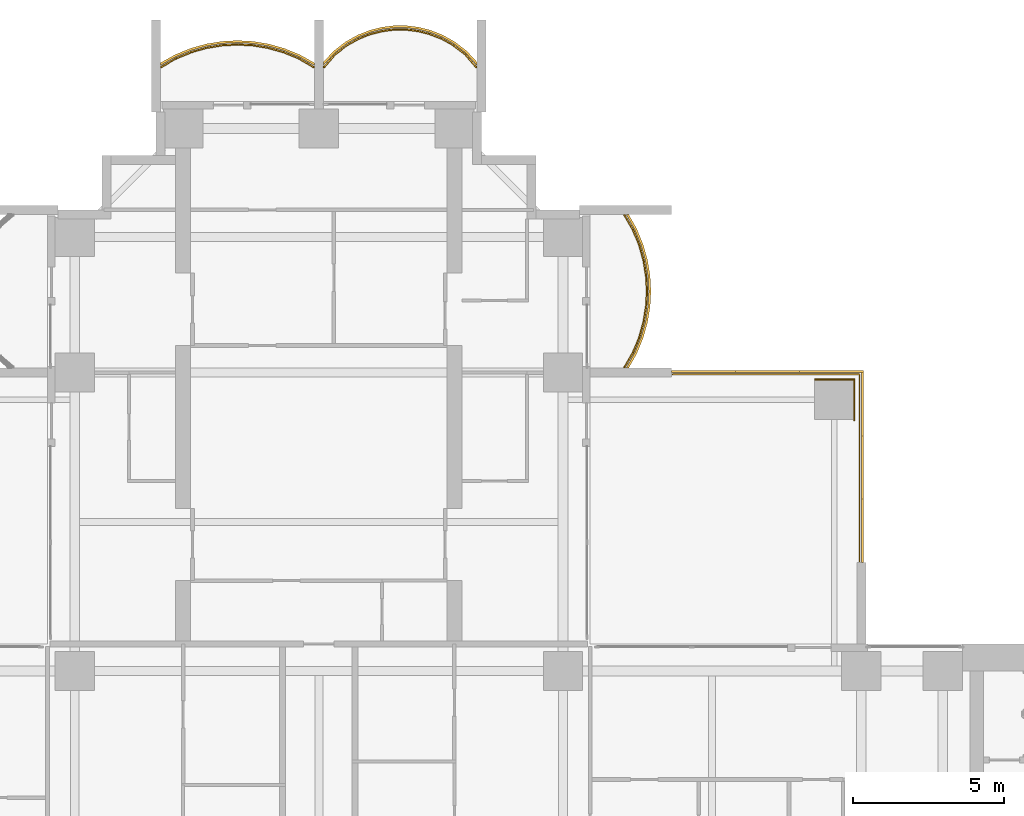
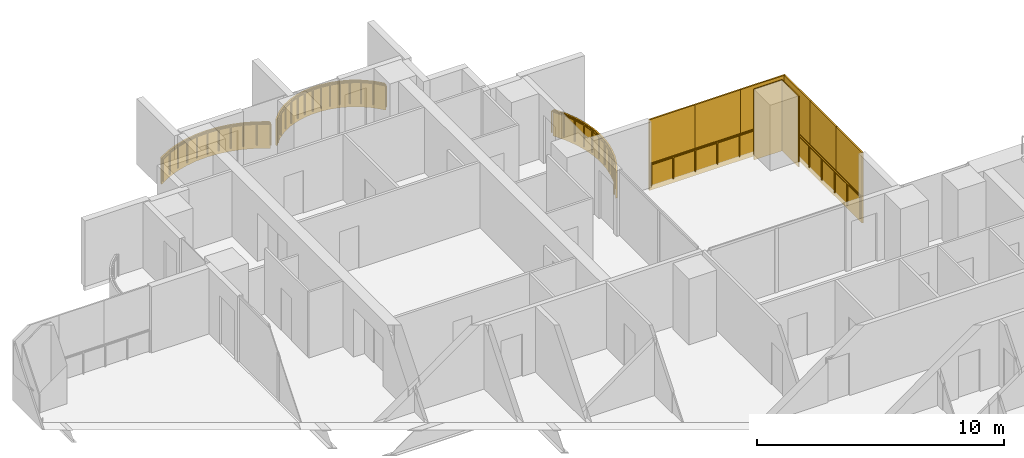
# One storey, part 21 of 21: 12 coverings, 4 railings.
"""IFC4 building model written with IfcOpenShell, lengths in metres."""

from ifc_helpers import new_model, si_unit, direction, frame, origin, origin_2d, place, context, subcontext, project, spatial, polyline, rectangle, outline, extrude, material, layer, layer_set, type_object, element, save


model = new_model("IFC4")

# Units and contexts
model_context = context("Model", 3, precision=1e-05, world=origin(), true_north=direction((0.0, 1.0)))
body_context = subcontext(model_context, "Body", "Model", "MODEL_VIEW")
ifc_project = project(units=[si_unit("LENGTHUNIT", "METRE"), si_unit("AREAUNIT", "SQUARE_METRE"), si_unit("VOLUMEUNIT", "CUBIC_METRE"), si_unit("PLANEANGLEUNIT", "RADIAN"), si_unit("MASSUNIT", "GRAM", prefix="KILO")], contexts=[model_context])

# Site, building, storey
site_placement = place(None, origin())
site = spatial("IfcSite", under=ifc_project, at=site_placement, CompositionType="ELEMENT")
building_placement = place(site_placement, origin())
building = spatial("IfcBuilding", under=site, at=building_placement, Name="Perihelion Cross Residences", CompositionType="ELEMENT")
storey_placement = place(building_placement, frame((0.0, 0.0, 57.5)))
storey = spatial("IfcBuildingStorey", under=building, at=storey_placement, Name="L11", CompositionType="ELEMENT", Elevation=57.5)

# Coverings
ifc_material_1 = material(Name="Bronze anodised aluminium", Category="aluminium")
ifc_layer_1 = layer(ifc_material_1, 0.070068359375)
ifc_layer_set_1 = layer_set([ifc_layer_1], Name="Balcony fascia 1300")
covering_type_1 = type_object("IfcCoveringType", Name="Balcony fascia 1300", PredefinedType="CLADDING", material=ifc_layer_set_1)
covering_1_placement = place(storey_placement, frame((0.0, 0.0, -0.199951171875)))
element("IfcCovering", 1, at=covering_1_placement, inside=storey, type_object=covering_type_1, Name="Fascia BF1 L11 north side east bay 2", PredefinedType="CLADDING", context=body_context, shape_type="SweptSolid", body=[
    extrude(outline(polyline([(10.54833984375, 18.629638671875), (10.7607421875, 19.147216796875), (10.906494140625, 19.664794921875), (10.991943359375, 20.182373046875), (11.02001953125, 20.699951171875), (10.991943359375, 21.217529296875), (10.906494140625, 21.735107421875), (10.7607421875, 22.2529296875), (10.54833984375, 22.7705078125), (10.2802734375, 23.25), (10.199951171875, 23.25), (10.4853515625, 22.739990234375), (10.694580078125, 22.22998046875), (10.838134765625, 21.719970703125), (10.92236328125, 21.2099609375), (10.949951171875, 20.699951171875), (10.92236328125, 20.18994140625), (10.838134765625, 19.679931640625), (10.694580078125, 19.169921875), (10.4853515625, 18.659912109375), (10.199951171875, 18.14990234375), (10.2802734375, 18.14990234375), (10.54833984375, 18.629638671875)])), origin(), (0.0, 0.0, 1.0), 1.300048828125),
])
covering_2_placement = place(storey_placement, frame((0.0, 0.0, -0.199951171875)))
element("IfcCovering", 2, at=covering_2_placement, inside=storey, type_object=covering_type_1, Name="Fascia BF1 L11 north tip north bay 1", PredefinedType="CLADDING", context=body_context, shape_type="SweptSolid", body=[
    extrude(outline(polyline([(4.90478515625, 28.674072265625), (4.50390625, 28.982666015625), (4.10302734375, 29.20654296875), (3.7021484375, 29.364013671875), (3.30126953125, 29.464599609375), (2.900390625, 29.513916015625), (2.49951171875, 29.513916015625), (2.0986328125, 29.464599609375), (1.69775390625, 29.364013671875), (1.296875, 29.20654296875), (0.89599609375, 28.982666015625), (0.4951171875, 28.674072265625), (0.14990234375, 28.302734375), (0.14990234375, 28.199951171875), (0.542236328125, 28.622314453125), (0.9345703125, 28.924072265625), (1.326904296875, 29.143310546875), (1.71923828125, 29.29736328125), (2.111572265625, 29.39599609375), (2.50390625, 29.444091796875), (2.896240234375, 29.444091796875), (3.28857421875, 29.39599609375), (3.6806640625, 29.29736328125), (4.072998046875, 29.143310546875), (4.46533203125, 28.924072265625), (4.857666015625, 28.622314453125), (5.25, 28.199951171875), (5.25, 28.302734375), (4.90478515625, 28.674072265625)])), origin(), (0.0, 0.0, 1.0), 1.300048828125),
])
covering_3_placement = place(storey_placement, frame((0.0, 0.0, -0.199951171875)))
element("IfcCovering", 3, at=covering_3_placement, inside=storey, type_object=covering_type_1, Name="Fascia BF1 L11 north tip north bay 2", PredefinedType="CLADDING", context=body_context, shape_type="SweptSolid", body=[
    extrude(outline(polyline([(-0.629638671875, 28.54833984375), (-1.147216796875, 28.7607421875), (-1.664794921875, 28.906494140625), (-2.182373046875, 28.991943359375), (-2.699951171875, 29.02001953125), (-3.217529296875, 28.991943359375), (-3.735107421875, 28.906494140625), (-4.2529296875, 28.7607421875), (-4.7705078125, 28.54833984375), (-5.25, 28.2802734375), (-5.25, 28.199951171875), (-4.739990234375, 28.4853515625), (-4.22998046875, 28.694580078125), (-3.719970703125, 28.838134765625), (-3.2099609375, 28.92236328125), (-2.699951171875, 28.949951171875), (-2.18994140625, 28.92236328125), (-1.679931640625, 28.838134765625), (-1.169921875, 28.694580078125), (-0.659912109375, 28.4853515625), (-0.14990234375, 28.199951171875), (-0.14990234375, 28.2802734375), (-0.629638671875, 28.54833984375)])), origin(), (0.0, 0.0, 1.0), 1.300048828125),
])

# Railings
ifc_material_2 = material(Name="Bronze anodised aluminium", Category="aluminium")
railing_type = type_object("IfcRailingType", Name="Balcony guard 1100", PredefinedType="GUARDRAIL", material=ifc_material_2)
railing_1_placement = place(storey_placement, frame((10.139892578125, 18.175048828125, 0.0)))
element("IfcRailing", 4, at=railing_1_placement, inside=storey, type_object=railing_type, Name="Guard GU1 L11 north side east bay 2 balcony", PredefinedType="GUARDRAIL", context=body_context, shape_type="SweptSolid", body=[
    extrude(rectangle(XDim=0.048095703125, YDim=0.048095703125, at=origin_2d()), frame((0.0, 0.0, 1.076171875), z_axis=(0.507266632806, 0.861789164031, 0.0), x_axis=(-0.861789164031, 0.507266632806, 0.0)), (0.0, 0.0, 1.0), 0.562744140625),
    extrude(rectangle(XDim=0.048095703125, YDim=0.048095703125, at=origin_2d()), frame((0.285400390625, 0.48486328125, 1.076171875), z_axis=(0.379546636342, 0.925172605972, 0.0), x_axis=(-0.925172605972, 0.379546636342, 0.0)), (0.0, 0.0, 1.0), 0.55126953125),
    extrude(rectangle(XDim=0.048095703125, YDim=0.048095703125, at=origin_2d()), frame((0.49462890625, 0.994873046875, 1.076171875), z_axis=(0.271372618732, 0.962474364231, 0.0), x_axis=(-0.962474364231, 0.271372618732, 0.0)), (0.0, 0.0, 1.0), 0.52978515625),
    extrude(rectangle(XDim=0.048095703125, YDim=0.048095703125, at=origin_2d()), frame((0.638427734375, 1.5048828125, 1.076171875), z_axis=(0.162483799314, 0.986711211531, 0.0), x_axis=(-0.986711211531, 0.162483799314, 0.0)), (0.0, 0.0, 1.0), 0.516845703125),
    extrude(rectangle(XDim=0.048095703125, YDim=0.048095703125, at=origin_2d()), frame((0.722412109375, 2.014892578125, 1.076171875), z_axis=(0.05401390175, 0.998540183677, 0.0), x_axis=(-0.998540183677, 0.05401390175, 0.0)), (0.0, 0.0, 1.0), 0.5107421875),
    extrude(rectangle(XDim=0.048095703125, YDim=0.048095703125, at=origin_2d()), frame((0.75, 2.52490234375, 1.076171875), z_axis=(-0.05401390175, 0.998540183677, 0.0), x_axis=(-0.998540183677, -0.05401390175, 0.0)), (0.0, 0.0, 1.0), 0.5107421875),
    extrude(rectangle(XDim=0.048095703125, YDim=0.048095703125, at=origin_2d()), frame((0.722412109375, 3.034912109375, 1.076171875), z_axis=(-0.162483799314, 0.986711211531, 0.0), x_axis=(-0.986711211531, -0.162483799314, 0.0)), (0.0, 0.0, 1.0), 0.516845703125),
    extrude(rectangle(XDim=0.048095703125, YDim=0.048095703125, at=origin_2d()), frame((0.638427734375, 3.544921875, 1.076171875), z_axis=(-0.271372618732, 0.962474364231, 0.0), x_axis=(-0.962474364231, -0.271372618732, 0.0)), (0.0, 0.0, 1.0), 0.52978515625),
    extrude(rectangle(XDim=0.048095703125, YDim=0.048095703125, at=origin_2d()), frame((0.49462890625, 4.054931640625, 1.076171875), z_axis=(-0.379546636342, 0.925172605972, 0.0), x_axis=(-0.925172605972, -0.379546636342, 0.0)), (0.0, 0.0, 1.0), 0.55126953125),
    extrude(rectangle(XDim=0.048095703125, YDim=0.048095703125, at=origin_2d()), frame((0.285400390625, 4.56494140625, 1.076171875), z_axis=(-0.507076995033, 0.861900760591, 0.0), x_axis=(-0.861900760591, -0.507076995033, 0.0)), (0.0, 0.0, 1.0), 0.562744140625),
    extrude(rectangle(XDim=0.0419921875, YDim=0.0419921875, at=origin_2d()), origin(), (0.0, 0.0, 1.0), 1.052001953125),
    extrude(rectangle(XDim=0.0419921875, YDim=0.0419921875, at=origin_2d()), frame((0.285400390625, 0.48486328125, 0.0)), (0.0, 0.0, 1.0), 1.052001953125),
    extrude(rectangle(XDim=0.0419921875, YDim=0.0419921875, at=origin_2d()), frame((0.49462890625, 0.994873046875, 0.0)), (0.0, 0.0, 1.0), 1.052001953125),
    extrude(rectangle(XDim=0.0419921875, YDim=0.0419921875, at=origin_2d()), frame((0.638427734375, 1.5048828125, 0.0)), (0.0, 0.0, 1.0), 1.052001953125),
    extrude(rectangle(XDim=0.0419921875, YDim=0.0419921875, at=origin_2d()), frame((0.722412109375, 2.014892578125, 0.0)), (0.0, 0.0, 1.0), 1.052001953125),
    extrude(rectangle(XDim=0.0419921875, YDim=0.0419921875, at=origin_2d()), frame((0.75, 2.52490234375, 0.0)), (0.0, 0.0, 1.0), 1.052001953125),
    extrude(rectangle(XDim=0.0419921875, YDim=0.0419921875, at=origin_2d()), frame((0.722412109375, 3.034912109375, 0.0)), (0.0, 0.0, 1.0), 1.052001953125),
    extrude(rectangle(XDim=0.0419921875, YDim=0.0419921875, at=origin_2d()), frame((0.638427734375, 3.544921875, 0.0)), (0.0, 0.0, 1.0), 1.052001953125),
    extrude(rectangle(XDim=0.0419921875, YDim=0.0419921875, at=origin_2d()), frame((0.49462890625, 4.054931640625, 0.0)), (0.0, 0.0, 1.0), 1.052001953125),
    extrude(rectangle(XDim=0.0419921875, YDim=0.0419921875, at=origin_2d()), frame((0.285400390625, 4.56494140625, 0.0)), (0.0, 0.0, 1.0), 1.052001953125),
    extrude(rectangle(XDim=0.0419921875, YDim=0.0419921875, at=origin_2d()), frame((0.0, 5.050048828125, 0.0)), (0.0, 0.0, 1.0), 1.052001953125),
])
railing_2_placement = place(storey_placement, frame((5.22509765625, 28.139892578125, 0.0)))
element("IfcRailing", 5, at=railing_2_placement, inside=storey, type_object=railing_type, Name="Guard GU1 L11 north tip north bay 1 balcony", PredefinedType="GUARDRAIL", context=body_context, shape_type="SweptSolid", body=[
    extrude(rectangle(XDim=0.048095703125, YDim=0.048095703125, at=origin_2d()), frame((0.0, 0.0, 1.076171875), z_axis=(-0.656340655493, 0.754464673757, 0.0), x_axis=(-0.754464673757, -0.656340655493, 0.0)), (0.0, 0.0, 1.0), 0.559814453125),
    extrude(rectangle(XDim=0.048095703125, YDim=0.048095703125, at=origin_2d()), frame((-0.367431640625, 0.42236328125, 1.076171875), z_axis=(-0.792660660899, 0.60966308455, 0.0), x_axis=(-0.60966308455, -0.792660660899, 0.0)), (0.0, 0.0, 1.0), 0.494873046875),
    extrude(rectangle(XDim=0.048095703125, YDim=0.048095703125, at=origin_2d()), frame((-0.759765625, 0.72412109375, 1.076171875), z_axis=(-0.872950285698, 0.487809182674, 0.0), x_axis=(-0.487809182674, -0.872950285698, 0.0)), (0.0, 0.0, 1.0), 0.449462890625),
    extrude(rectangle(XDim=0.048095703125, YDim=0.048095703125, at=origin_2d()), frame((-1.152099609375, 0.943359375, 1.076171875), z_axis=(-0.930814842219, 0.365491079925, 0.0), x_axis=(-0.365491079925, -0.930814842219, 0.0)), (0.0, 0.0, 1.0), 0.42138671875),
    extrude(rectangle(XDim=0.048095703125, YDim=0.048095703125, at=origin_2d()), frame((-1.54443359375, 1.097412109375, 1.076171875), z_axis=(-0.969786252666, 0.243956193074, 0.0), x_axis=(-0.243956193074, -0.969786252666, 0.0)), (0.0, 0.0, 1.0), 0.404296875),
    extrude(rectangle(XDim=0.048095703125, YDim=0.048095703125, at=origin_2d()), frame((-1.9365234375, 1.196044921875, 1.076171875), z_axis=(-0.992569651699, 0.121677797999, 0.0), x_axis=(-0.121677797999, -0.992569651699, 0.0)), (0.0, 0.0, 1.0), 0.395263671875),
    extrude(rectangle(XDim=0.048095703125, YDim=0.048095703125, at=origin_2d()), frame((-2.328857421875, 1.244140625, 1.076171875), z_axis=(-1.0, 0.0, 0.0), x_axis=(0.0, -1.0, 0.0)), (0.0, 0.0, 1.0), 0.392333984375),
    extrude(rectangle(XDim=0.048095703125, YDim=0.048095703125, at=origin_2d()), frame((-2.72119140625, 1.244140625, 1.076171875), z_axis=(-0.992569651699, -0.121677797999, 0.0), x_axis=(0.121677797999, -0.992569651699, 0.0)), (0.0, 0.0, 1.0), 0.395263671875),
    extrude(rectangle(XDim=0.048095703125, YDim=0.048095703125, at=origin_2d()), frame((-3.113525390625, 1.196044921875, 1.076171875), z_axis=(-0.969822159145, -0.243813411509, 0.0), x_axis=(0.243813411509, -0.969822159145, 0.0)), (0.0, 0.0, 1.0), 0.404541015625),
    extrude(rectangle(XDim=0.048095703125, YDim=0.048095703125, at=origin_2d()), frame((-3.505859375, 1.097412109375, 1.076171875), z_axis=(-0.930814842219, -0.365491079925, 0.0), x_axis=(0.365491079925, -0.930814842219, 0.0)), (0.0, 0.0, 1.0), 0.42138671875),
    extrude(rectangle(XDim=0.048095703125, YDim=0.048095703125, at=origin_2d()), frame((-3.898193359375, 0.943359375, 1.076171875), z_axis=(-0.872950285698, -0.487809182674, 0.0), x_axis=(0.487809182674, -0.872950285698, 0.0)), (0.0, 0.0, 1.0), 0.449462890625),
    extrude(rectangle(XDim=0.048095703125, YDim=0.048095703125, at=origin_2d()), frame((-4.29052734375, 0.72412109375, 1.076171875), z_axis=(-0.792660660899, -0.60966308455, 0.0), x_axis=(0.60966308455, -0.792660660899, 0.0)), (0.0, 0.0, 1.0), 0.494873046875),
    extrude(rectangle(XDim=0.048095703125, YDim=0.048095703125, at=origin_2d()), frame((-4.682861328125, 0.42236328125, 1.076171875), z_axis=(-0.656092309534, -0.754680648599, 0.0), x_axis=(0.754680648599, -0.656092309534, 0.0)), (0.0, 0.0, 1.0), 0.5595703125),
    extrude(rectangle(XDim=0.0419921875, YDim=0.0419921875, at=origin_2d()), origin(), (0.0, 0.0, 1.0), 1.052001953125),
    extrude(rectangle(XDim=0.0419921875, YDim=0.0419921875, at=origin_2d()), frame((-0.367431640625, 0.42236328125, 0.0)), (0.0, 0.0, 1.0), 1.052001953125),
    extrude(rectangle(XDim=0.0419921875, YDim=0.0419921875, at=origin_2d()), frame((-0.759765625, 0.72412109375, 0.0)), (0.0, 0.0, 1.0), 1.052001953125),
    extrude(rectangle(XDim=0.0419921875, YDim=0.0419921875, at=origin_2d()), frame((-1.152099609375, 0.943359375, 0.0)), (0.0, 0.0, 1.0), 1.052001953125),
    extrude(rectangle(XDim=0.0419921875, YDim=0.0419921875, at=origin_2d()), frame((-1.54443359375, 1.097412109375, 0.0)), (0.0, 0.0, 1.0), 1.052001953125),
    extrude(rectangle(XDim=0.0419921875, YDim=0.0419921875, at=origin_2d()), frame((-1.9365234375, 1.196044921875, 0.0)), (0.0, 0.0, 1.0), 1.052001953125),
    extrude(rectangle(XDim=0.0419921875, YDim=0.0419921875, at=origin_2d()), frame((-2.328857421875, 1.244140625, 0.0)), (0.0, 0.0, 1.0), 1.052001953125),
    extrude(rectangle(XDim=0.0419921875, YDim=0.0419921875, at=origin_2d()), frame((-2.72119140625, 1.244140625, 0.0)), (0.0, 0.0, 1.0), 1.052001953125),
    extrude(rectangle(XDim=0.0419921875, YDim=0.0419921875, at=origin_2d()), frame((-3.113525390625, 1.196044921875, 0.0)), (0.0, 0.0, 1.0), 1.052001953125),
    extrude(rectangle(XDim=0.0419921875, YDim=0.0419921875, at=origin_2d()), frame((-3.505859375, 1.097412109375, 0.0)), (0.0, 0.0, 1.0), 1.052001953125),
    extrude(rectangle(XDim=0.0419921875, YDim=0.0419921875, at=origin_2d()), frame((-3.898193359375, 0.943359375, 0.0)), (0.0, 0.0, 1.0), 1.052001953125),
    extrude(rectangle(XDim=0.0419921875, YDim=0.0419921875, at=origin_2d()), frame((-4.29052734375, 0.72412109375, 0.0)), (0.0, 0.0, 1.0), 1.052001953125),
    extrude(rectangle(XDim=0.0419921875, YDim=0.0419921875, at=origin_2d()), frame((-4.682861328125, 0.42236328125, 0.0)), (0.0, 0.0, 1.0), 1.052001953125),
    extrude(rectangle(XDim=0.0419921875, YDim=0.0419921875, at=origin_2d()), frame((-5.050048828125, 0.0, 0.0)), (0.0, 0.0, 1.0), 1.052001953125),
])
railing_3_placement = place(storey_placement, frame((-0.175048828125, 28.139892578125, 0.0)))
element("IfcRailing", 6, at=railing_3_placement, inside=storey, type_object=railing_type, Name="Guard GU1 L11 north tip north bay 2 balcony", PredefinedType="GUARDRAIL", context=body_context, shape_type="SweptSolid", body=[
    extrude(rectangle(XDim=0.048095703125, YDim=0.048095703125, at=origin_2d()), frame((0.0, 0.0, 1.076171875), z_axis=(-0.861789164031, 0.507266632806, 0.0), x_axis=(-0.507266632806, -0.861789164031, 0.0)), (0.0, 0.0, 1.0), 0.562744140625),
    extrude(rectangle(XDim=0.048095703125, YDim=0.048095703125, at=origin_2d()), frame((-0.48486328125, 0.285400390625, 1.076171875), z_axis=(-0.925172605972, 0.379546636342, 0.0), x_axis=(-0.379546636342, -0.925172605972, 0.0)), (0.0, 0.0, 1.0), 0.55126953125),
    extrude(rectangle(XDim=0.048095703125, YDim=0.048095703125, at=origin_2d()), frame((-0.994873046875, 0.49462890625, 1.076171875), z_axis=(-0.962474364231, 0.271372618732, 0.0), x_axis=(-0.271372618732, -0.962474364231, 0.0)), (0.0, 0.0, 1.0), 0.52978515625),
    extrude(rectangle(XDim=0.048095703125, YDim=0.048095703125, at=origin_2d()), frame((-1.5048828125, 0.638427734375, 1.076171875), z_axis=(-0.986711211531, 0.162483799314, 0.0), x_axis=(-0.162483799314, -0.986711211531, 0.0)), (0.0, 0.0, 1.0), 0.516845703125),
    extrude(rectangle(XDim=0.048095703125, YDim=0.048095703125, at=origin_2d()), frame((-2.014892578125, 0.722412109375, 1.076171875), z_axis=(-0.998540183677, 0.05401390175, 0.0), x_axis=(-0.05401390175, -0.998540183677, 0.0)), (0.0, 0.0, 1.0), 0.5107421875),
    extrude(rectangle(XDim=0.048095703125, YDim=0.048095703125, at=origin_2d()), frame((-2.52490234375, 0.75, 1.076171875), z_axis=(-0.998540183677, -0.05401390175, 0.0), x_axis=(0.05401390175, -0.998540183677, 0.0)), (0.0, 0.0, 1.0), 0.5107421875),
    extrude(rectangle(XDim=0.048095703125, YDim=0.048095703125, at=origin_2d()), frame((-3.034912109375, 0.722412109375, 1.076171875), z_axis=(-0.986711211531, -0.162483799314, 0.0), x_axis=(0.162483799314, -0.986711211531, 0.0)), (0.0, 0.0, 1.0), 0.516845703125),
    extrude(rectangle(XDim=0.048095703125, YDim=0.048095703125, at=origin_2d()), frame((-3.544921875, 0.638427734375, 1.076171875), z_axis=(-0.962474364231, -0.271372618732, 0.0), x_axis=(0.271372618732, -0.962474364231, 0.0)), (0.0, 0.0, 1.0), 0.52978515625),
    extrude(rectangle(XDim=0.048095703125, YDim=0.048095703125, at=origin_2d()), frame((-4.054931640625, 0.49462890625, 1.076171875), z_axis=(-0.925172605972, -0.379546636342, 0.0), x_axis=(0.379546636342, -0.925172605972, 0.0)), (0.0, 0.0, 1.0), 0.55126953125),
    extrude(rectangle(XDim=0.048095703125, YDim=0.048095703125, at=origin_2d()), frame((-4.56494140625, 0.285400390625, 1.076171875), z_axis=(-0.861900760591, -0.507076995033, 0.0), x_axis=(0.507076995033, -0.861900760591, 0.0)), (0.0, 0.0, 1.0), 0.562744140625),
    extrude(rectangle(XDim=0.0419921875, YDim=0.0419921875, at=origin_2d()), origin(), (0.0, 0.0, 1.0), 1.052001953125),
    extrude(rectangle(XDim=0.0419921875, YDim=0.0419921875, at=origin_2d()), frame((-0.48486328125, 0.285400390625, 0.0)), (0.0, 0.0, 1.0), 1.052001953125),
    extrude(rectangle(XDim=0.0419921875, YDim=0.0419921875, at=origin_2d()), frame((-0.994873046875, 0.49462890625, 0.0)), (0.0, 0.0, 1.0), 1.052001953125),
    extrude(rectangle(XDim=0.0419921875, YDim=0.0419921875, at=origin_2d()), frame((-1.5048828125, 0.638427734375, 0.0)), (0.0, 0.0, 1.0), 1.052001953125),
    extrude(rectangle(XDim=0.0419921875, YDim=0.0419921875, at=origin_2d()), frame((-2.014892578125, 0.722412109375, 0.0)), (0.0, 0.0, 1.0), 1.052001953125),
    extrude(rectangle(XDim=0.0419921875, YDim=0.0419921875, at=origin_2d()), frame((-2.52490234375, 0.75, 0.0)), (0.0, 0.0, 1.0), 1.052001953125),
    extrude(rectangle(XDim=0.0419921875, YDim=0.0419921875, at=origin_2d()), frame((-3.034912109375, 0.722412109375, 0.0)), (0.0, 0.0, 1.0), 1.052001953125),
    extrude(rectangle(XDim=0.0419921875, YDim=0.0419921875, at=origin_2d()), frame((-3.544921875, 0.638427734375, 0.0)), (0.0, 0.0, 1.0), 1.052001953125),
    extrude(rectangle(XDim=0.0419921875, YDim=0.0419921875, at=origin_2d()), frame((-4.054931640625, 0.49462890625, 0.0)), (0.0, 0.0, 1.0), 1.052001953125),
    extrude(rectangle(XDim=0.0419921875, YDim=0.0419921875, at=origin_2d()), frame((-4.56494140625, 0.285400390625, 0.0)), (0.0, 0.0, 1.0), 1.052001953125),
    extrude(rectangle(XDim=0.0419921875, YDim=0.0419921875, at=origin_2d()), frame((-5.050048828125, 0.0, 0.0)), (0.0, 0.0, 1.0), 1.052001953125),
])
railing_4_placement = place(storey_placement, frame((11.739990234375, 17.93994140625, 0.0)))
element("IfcRailing", 7, at=railing_4_placement, inside=storey, type_object=railing_type, Name="Guard GU1 L11 pocket north-east 1", PredefinedType="GUARDRAIL", context=body_context, shape_type="SweptSolid", body=[
    extrude(rectangle(XDim=0.048095703125, YDim=0.048095703125, at=origin_2d()), frame((0.0, 0.0, 1.076171875), z_axis=(1.0, 0.0, 0.0), x_axis=(0.0, 1.0, 0.0)), (0.0, 0.0, 1.0), 6.199951171875),
    extrude(rectangle(XDim=0.048095703125, YDim=0.048095703125, at=origin_2d()), frame((6.199951171875, 0.0, 1.076171875), z_axis=(0.0, -1.0, 0.0), x_axis=(1.0, 0.0, 0.0)), (0.0, 0.0, 1.0), 6.199951171875),
    extrude(rectangle(XDim=0.0419921875, YDim=0.0419921875, at=origin_2d()), origin(), (0.0, 0.0, 1.0), 1.052001953125),
    extrude(rectangle(XDim=0.0419921875, YDim=0.0419921875, at=origin_2d()), frame((1.033203125, 0.0, 0.0)), (0.0, 0.0, 1.0), 1.052001953125),
    extrude(rectangle(XDim=0.0419921875, YDim=0.0419921875, at=origin_2d()), frame((2.066650390625, 0.0, 0.0)), (0.0, 0.0, 1.0), 1.052001953125),
    extrude(rectangle(XDim=0.0419921875, YDim=0.0419921875, at=origin_2d()), frame((3.10009765625, 0.0, 0.0)), (0.0, 0.0, 1.0), 1.052001953125),
    extrude(rectangle(XDim=0.0419921875, YDim=0.0419921875, at=origin_2d()), frame((4.13330078125, 0.0, 0.0)), (0.0, 0.0, 1.0), 1.052001953125),
    extrude(rectangle(XDim=0.0419921875, YDim=0.0419921875, at=origin_2d()), frame((5.16650390625, 0.0, 0.0)), (0.0, 0.0, 1.0), 1.052001953125),
    extrude(rectangle(XDim=0.0419921875, YDim=0.0419921875, at=origin_2d()), frame((6.199951171875, 0.0, 0.0)), (0.0, 0.0, 1.0), 1.052001953125),
    extrude(rectangle(XDim=0.0419921875, YDim=0.0419921875, at=origin_2d()), frame((6.199951171875, -1.033203125, 0.0)), (0.0, 0.0, 1.0), 1.052001953125),
    extrude(rectangle(XDim=0.0419921875, YDim=0.0419921875, at=origin_2d()), frame((6.199951171875, -2.066650390625, 0.0)), (0.0, 0.0, 1.0), 1.052001953125),
    extrude(rectangle(XDim=0.0419921875, YDim=0.0419921875, at=origin_2d()), frame((6.199951171875, -3.10009765625, 0.0)), (0.0, 0.0, 1.0), 1.052001953125),
    extrude(rectangle(XDim=0.0419921875, YDim=0.0419921875, at=origin_2d()), frame((6.199951171875, -4.13330078125, 0.0)), (0.0, 0.0, 1.0), 1.052001953125),
    extrude(rectangle(XDim=0.0419921875, YDim=0.0419921875, at=origin_2d()), frame((6.199951171875, -5.16650390625, 0.0)), (0.0, 0.0, 1.0), 1.052001953125),
    extrude(rectangle(XDim=0.0419921875, YDim=0.0419921875, at=origin_2d()), frame((6.199951171875, -6.199951171875, 0.0)), (0.0, 0.0, 1.0), 1.052001953125),
])

# Coverings
ifc_material_3 = material(Name="Bronze anodised aluminium", Category="aluminium")
ifc_layer_2 = layer(ifc_material_3, 0.0400390625)
ifc_layer_set_2 = layer_set([ifc_layer_2], Name="Bronze column casing 40")
covering_type_2 = type_object("IfcCoveringType", Name="Bronze column casing 40", PredefinedType="CLADDING", material=ifc_layer_set_2)
covering_4_placement = place(storey_placement, frame((17.77001953125, 17.10009765625, -0.25), z_axis=(0.0, 0.0, 1.0), x_axis=(1.0, 0.0, 0.0)))
element("IfcCovering", 8, at=covering_4_placement, inside=storey, type_object=covering_type_2, Name="Cladding CC1 L11 casing east-west no. 4", PredefinedType="CLADDING", context=body_context, shape_type="SweptSolid", body=[
    extrude(rectangle(XDim=0.0400390625, YDim=1.3798828125, at=origin_2d()), origin(), (0.0, 0.0, 1.0), 3.5),
])
covering_5_placement = place(storey_placement, frame((17.10009765625, 17.77001953125, -0.25), z_axis=(0.0, 0.0, 1.0), x_axis=(1.0, 0.0, 0.0)))
element("IfcCovering", 9, at=covering_5_placement, inside=storey, type_object=covering_type_2, Name="Cladding CC1 L11 casing north-south no. 4", PredefinedType="CLADDING", context=body_context, shape_type="SweptSolid", body=[
    extrude(rectangle(XDim=1.300048828125, YDim=0.0400390625, at=origin_2d()), origin(), (0.0, 0.0, 1.0), 3.5),
])
ifc_material_4 = material(Name="Bronze anodised aluminium", Category="aluminium")
ifc_layer_3 = layer(ifc_material_4, 0.070068359375)
ifc_layer_set_3 = layer_set([ifc_layer_3], Name="Pocket fascia 1350")
covering_type_3 = type_object("IfcCoveringType", Name="Pocket fascia 1350", PredefinedType="CLADDING", material=ifc_layer_set_3)
covering_6_placement = place(storey_placement, frame((0.0, 0.0, -0.25)))
element("IfcCovering", 10, at=covering_6_placement, inside=storey, type_object=covering_type_3, Name="Fascia BF2 L11 pocket north-east 3", PredefinedType="CLADDING", context=body_context, shape_type="SweptSolid", body=[
    extrude(outline(polyline([(18.070068359375, 18.070068359375), (11.699951171875, 18.070068359375), (11.699951171875, 18.0), (18.0, 18.0), (18.0, 11.699951171875), (18.070068359375, 11.699951171875), (18.070068359375, 18.070068359375)])), origin(), (0.0, 0.0, 1.0), 1.35009765625),
])
ifc_material_5 = material(Name="Bronze perforated aluminium", Category="aluminium")
ifc_layer_4 = layer(ifc_material_5, 0.070068359375)
ifc_layer_set_4 = layer_set([ifc_layer_4], Name="Pocket solar screen, bronze perforated")
covering_type_4 = type_object("IfcCoveringType", Name="Pocket solar screen, bronze perforated", PredefinedType="CLADDING", material=ifc_layer_set_4)
covering_7_placement = place(storey_placement, frame((0.0, 0.0, 1.10009765625)))
element("IfcCovering", 11, at=covering_7_placement, inside=storey, type_object=covering_type_4, Name="Solar screen PS1 L11 pocket north-east no. 1", PredefinedType="CLADDING", context=body_context, shape_type="SweptSolid", body=[
    extrude(outline(polyline([(18.070068359375, 11.699951171875), (18.070068359375, 13.800048828125), (18.0, 13.800048828125), (18.0, 11.699951171875), (18.070068359375, 11.699951171875)])), origin(), (0.0, 0.0, 1.0), 2.14990234375),
])
covering_8_placement = place(storey_placement, frame((0.0, 0.0, 1.10009765625)))
element("IfcCovering", 12, at=covering_8_placement, inside=storey, type_object=covering_type_4, Name="Solar screen PS1 L11 pocket north-east no. 2", PredefinedType="CLADDING", context=body_context, shape_type="SweptSolid", body=[
    extrude(outline(polyline([(18.070068359375, 13.800048828125), (18.070068359375, 15.89990234375), (18.0, 15.89990234375), (18.0, 13.800048828125), (18.070068359375, 13.800048828125)])), origin(), (0.0, 0.0, 1.0), 2.14990234375),
])
covering_9_placement = place(storey_placement, frame((0.0, 0.0, 1.10009765625)))
element("IfcCovering", 13, at=covering_9_placement, inside=storey, type_object=covering_type_4, Name="Solar screen PS1 L11 pocket north-east no. 3", PredefinedType="CLADDING", context=body_context, shape_type="SweptSolid", body=[
    extrude(outline(polyline([(18.070068359375, 15.89990234375), (18.070068359375, 18.0), (18.0, 18.0), (18.0, 15.89990234375), (18.070068359375, 15.89990234375)])), origin(), (0.0, 0.0, 1.0), 2.14990234375),
])
covering_10_placement = place(storey_placement, frame((0.0, 0.0, 1.10009765625)))
element("IfcCovering", 14, at=covering_10_placement, inside=storey, type_object=covering_type_4, Name="Solar screen PS1 L11 pocket north-east no. 4", PredefinedType="CLADDING", context=body_context, shape_type="SweptSolid", body=[
    extrude(outline(polyline([(13.8232421875, 18.0), (13.8232421875, 18.070068359375), (11.699951171875, 18.070068359375), (11.699951171875, 18.0), (13.8232421875, 18.0)])), origin(), (0.0, 0.0, 1.0), 2.14990234375),
])
covering_11_placement = place(storey_placement, frame((0.0, 0.0, 1.10009765625)))
element("IfcCovering", 15, at=covering_11_placement, inside=storey, type_object=covering_type_4, Name="Solar screen PS1 L11 pocket north-east no. 5", PredefinedType="CLADDING", context=body_context, shape_type="SweptSolid", body=[
    extrude(outline(polyline([(15.94677734375, 18.0), (15.94677734375, 18.070068359375), (13.8232421875, 18.070068359375), (13.8232421875, 18.0), (15.94677734375, 18.0)])), origin(), (0.0, 0.0, 1.0), 2.14990234375),
])
covering_12_placement = place(storey_placement, frame((0.0, 0.0, 1.10009765625)))
element("IfcCovering", 16, at=covering_12_placement, inside=storey, type_object=covering_type_4, Name="Solar screen PS1 L11 pocket north-east no. 6", PredefinedType="CLADDING", context=body_context, shape_type="SweptSolid", body=[
    extrude(outline(polyline([(18.070068359375, 18.0), (18.070068359375, 18.070068359375), (15.94677734375, 18.070068359375), (15.94677734375, 18.0), (18.070068359375, 18.0)])), origin(), (0.0, 0.0, 1.0), 2.14990234375),
])

save(model, "model.ifc")
